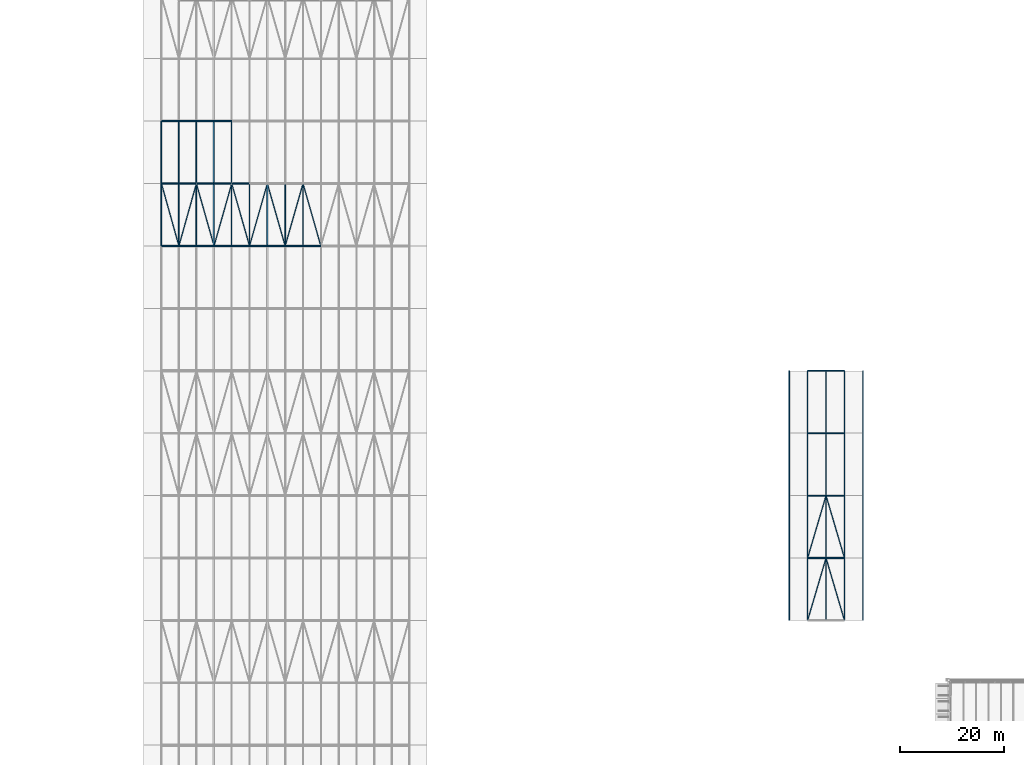
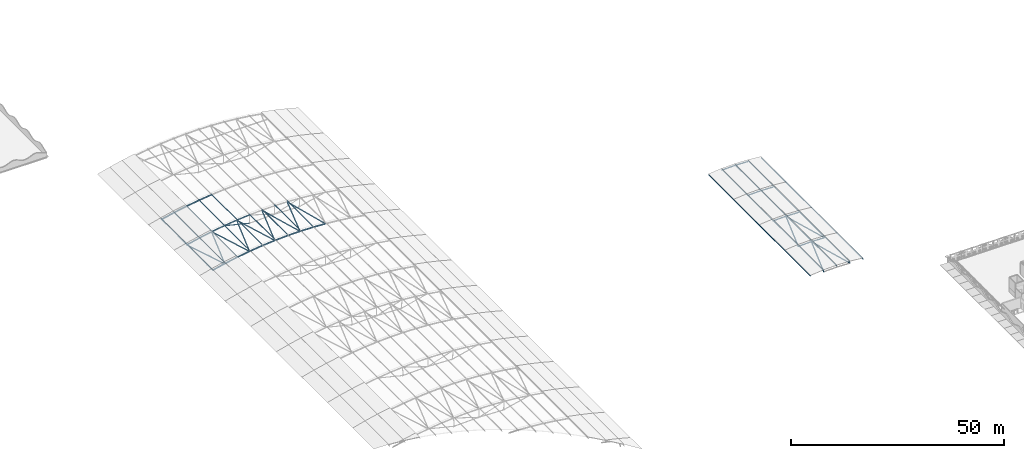
# One storey, part 37 of 91: 74 members.
"""IFC4 building model written with IfcOpenShell, lengths in metres."""

from ifc_helpers import new_model, si_unit, direction, frame, origin, origin_2d, place, context, subcontext, project, spatial, hollow_circle, i_section, extrude, material, material_profile, profile_set, type_object, element, save


model = new_model("IFC4")

# Units and contexts
model_context = context("Model", 3, precision=1e-05, world=origin(), true_north=direction((0.0, 1.0)))
body_context = subcontext(model_context, "Body", "Model", "MODEL_VIEW")
ifc_project = project(units=[si_unit("LENGTHUNIT", "METRE"), si_unit("AREAUNIT", "SQUARE_METRE"), si_unit("VOLUMEUNIT", "CUBIC_METRE"), si_unit("PLANEANGLEUNIT", "RADIAN"), si_unit("MASSUNIT", "GRAM", prefix="KILO")], contexts=[model_context])

# Site, building, storey
site_placement = place(None, origin())
site = spatial("IfcSite", under=ifc_project, at=site_placement, CompositionType="ELEMENT")
building_placement = place(site_placement, origin())
building = spatial("IfcBuilding", under=site, at=building_placement, Name="Ravi Spectrum Wholesale Market", CompositionType="ELEMENT")
storey_placement = place(building_placement, frame((0.0, 0.0, 16.199951171875)))
storey = spatial("IfcBuildingStorey", under=building, at=storey_placement, Name="ROOF PLANT LEVEL", CompositionType="ELEMENT", Elevation=16.199951171875)

# Members
ifc_material_1 = material(Name="Steel S355", Category="steel")
ifc_material_profile_1 = material_profile(ifc_material_1, hollow_circle(Radius=0.06982421875, WallThickness=0.0048828125, at=origin_2d()))
ifc_profile_set_1 = profile_set([ifc_material_profile_1], Name="Steel S355")
member_type_1 = type_object("IfcMemberType", Name="CHS 139.7x5 brace", PredefinedType="BRACE", material=ifc_profile_set_1)
member_1_placement = place(storey_placement, frame((56.318115234375, 162.0, 2.079833984375), z_axis=(0.97214359809, 0.0, -0.234386059083), x_axis=(0.0, 1.0, 0.0)))
element("IfcMember", 1, at=member_1_placement, inside=storey, type_object=member_type_1, Name="H1-MB-L02-960", PredefinedType="BRACE", context=body_context, shape_type="SweptSolid", body=[
    extrude(hollow_circle(Radius=0.06982421875, WallThickness=0.0048828125, at=origin_2d()), origin(), (0.0, 0.0, 1.0), 7.190185546875),
])
ifc_material_2 = material(Name="Steel S355", Category="steel")
ifc_material_profile_2 = material_profile(ifc_material_2, hollow_circle(Radius=0.096923828125, WallThickness=0.00634765625, at=origin_2d()))
ifc_profile_set_2 = profile_set([ifc_material_profile_2], Name="Steel S355")
member_type_2 = type_object("IfcMemberType", Name="CHS 193.7x6.3 brace", PredefinedType="BRACE", material=ifc_profile_set_2)
for number, where, z_axis, x_axis, name in (
    (2, (46.213134765625, 162.0, 0.13916015625), (0.268458266113, -0.961473382103, 0.059153147532), (0.963159952785, 0.26892918278, 0.0), "H1-MB-L02-1685"),
    (3, (49.563720703125, 150.0, 0.87744140625), (0.269573425524, 0.961473986747, 0.053832527904), (-0.962870169495, 0.269964880489, 0.0), "H1-MB-L02-1686"),
):
    element("IfcMember", number, at=place(storey_placement, frame(where, z_axis=z_axis, x_axis=x_axis)), inside=storey, type_object=member_type_2, Name=name, PredefinedType="BRACE", context=body_context, shape_type="SweptSolid", body=[
        extrude(hollow_circle(Radius=0.096923828125, WallThickness=0.00634765625, at=origin_2d()), origin(), (0.0, 0.0, 1.0), 12.48095703125),
    ])
member_2_placement = place(storey_placement, frame((52.92822265625, 162.0, 1.54931640625), z_axis=(0.271882814956, -0.961478100635, 0.040491936611), x_axis=(0.962267289503, 0.272105978532, 0.0)))
element("IfcMember", 4, at=member_2_placement, inside=storey, type_object=member_type_2, Name="H1-MB-L02-1687", PredefinedType="BRACE", context=body_context, shape_type="SweptSolid", body=[
    extrude(hollow_circle(Radius=0.096923828125, WallThickness=0.00634765625, at=origin_2d()), origin(), (0.0, 0.0, 1.0), 12.480712890625),
])
member_3_placement = place(storey_placement, frame((56.321533203125, 150.0, 2.0546875), z_axis=(0.272644331553, 0.961473251867, 0.035131957201), x_axis=(-0.962067152996, 0.272812743702, 0.0)))
element("IfcMember", 5, at=member_3_placement, inside=storey, type_object=member_type_2, Name="H1-MB-L02-1688", PredefinedType="BRACE", context=body_context, shape_type="SweptSolid", body=[
    extrude(hollow_circle(Radius=0.096923828125, WallThickness=0.00634765625, at=origin_2d()), origin(), (0.0, 0.0, 1.0), 12.48095703125),
])
for number, where, z_axis, x_axis, name in (
    (6, (59.724365234375, 162.0, 2.4931640625), (0.274034013599, -0.9614761822, 0.021654340285), (0.961701684624, 0.27409828491, 0.0), "H1-MB-L02-1689"),
    (7, (63.14453125, 150.0, 2.763427734375), (0.274405792689, 0.961476584134, 0.016255432972), (-0.961603639168, 0.274442054245, 0.0), "H1-MB-L02-1690"),
    (8, (66.5693359375, 162.0, 2.96630859375), (0.274875137304, -0.961476142098, 0.002699456942), (0.961479645288, 0.274876138826, 0.0), "H1-MB-L02-1691"),
    (9, (70.0, 150.0, 3.0), (0.274875137304, 0.961476142098, -0.002699456942), (-0.961479645288, 0.274876138826, 0.0), "H1-MB-L02-1692"),
    (10, (73.4306640625, 162.0, 2.96630859375), (0.274405792689, -0.961476584134, -0.016255432972), (0.961603639168, 0.274442054245, 0.0), "H1-MB-L02-1693"),
):
    element("IfcMember", number, at=place(storey_placement, frame(where, z_axis=z_axis, x_axis=x_axis)), inside=storey, type_object=member_type_2, Name=name, PredefinedType="BRACE", context=body_context, shape_type="SweptSolid", body=[
        extrude(hollow_circle(Radius=0.096923828125, WallThickness=0.00634765625, at=origin_2d()), origin(), (0.0, 0.0, 1.0), 12.480712890625),
    ])
for number, where, z_axis, x_axis, name in (
    (11, (170.459228515625, 78.0, -0.11181640625), (0.282990571069, 0.959081055589, 0.008936749745), (-0.959119356625, 0.283001872338, 0.0), "H2-MB-L02-347"),
    (12, (174.0, 90.0, 0.0), (0.282990571069, -0.959081055589, -0.008936749745), (0.959119356625, 0.283001872338, 0.0), "H2-MB-L02-348"),
    (13, (170.459228515625, 90.0, -0.11181640625), (0.282990571069, 0.959081055589, 0.008936749745), (-0.959119356625, 0.283001872338, 0.0), "H2-MB-L02-361"),
    (14, (174.0, 102.0, 0.0), (0.282990571069, -0.959081055589, -0.008936749745), (0.959119356625, 0.283001872338, 0.0), "H2-MB-L02-362"),
):
    element("IfcMember", number, at=place(storey_placement, frame(where, z_axis=z_axis, x_axis=x_axis)), inside=storey, type_object=member_type_2, Name=name, PredefinedType="BRACE", context=body_context, shape_type="SweptSolid", body=[
        extrude(hollow_circle(Radius=0.096923828125, WallThickness=0.00634765625, at=origin_2d()), origin(), (0.0, 0.0, 1.0), 12.511962890625),
    ])
ifc_material_3 = material(Name="Steel S355", Category="steel")
ifc_material_profile_3 = material_profile(ifc_material_3, hollow_circle(Radius=0.161865234375, WallThickness=0.010009765625, at=origin_2d()))
ifc_profile_set_3 = profile_set([ifc_material_profile_3], Name="Steel S355")
member_type_3 = type_object("IfcMemberType", Name="CHS 323.9x10 chord", PredefinedType="CHORD", material=ifc_profile_set_3)
for number, where, z_axis, x_axis, name in (
    (15, (170.459228515625, 90.0, -0.11181640625), (0.999501734771, 0.0, 0.031563938118), (0.0, 1.0, 0.0), "H2-MB-L02-063"),
    (16, (174.0, 90.0, 0.0), (0.999501734771, 0.0, -0.031563938118), (0.0, 1.0, 0.0), "H2-MB-L02-064"),
    (17, (170.459228515625, 102.0, -0.11181640625), (0.999501734771, 0.0, 0.031563938118), (0.0, 1.0, 0.0), "H2-MB-L02-119"),
    (18, (174.0, 102.0, 0.0), (0.999501734771, 0.0, -0.031563938118), (0.0, 1.0, 0.0), "H2-MB-L02-120"),
    (19, (170.459228515625, 114.0, -0.11181640625), (0.999501734771, 0.0, 0.031563938118), (0.0, 1.0, 0.0), "H2-MB-L02-175"),
    (20, (174.0, 114.0, 0.0), (0.999501734771, 0.0, -0.031563938118), (0.0, 1.0, 0.0), "H2-MB-L02-176"),
    (21, (170.459228515625, 126.0, -0.11181640625), (0.999501734771, 0.0, 0.031563938118), (0.0, 1.0, 0.0), "H2-MB-L02-231"),
    (22, (174.0, 126.0, 0.0), (0.999501734771, 0.0, -0.031563938118), (0.0, 1.0, 0.0), "H2-MB-L02-232"),
):
    element("IfcMember", number, at=place(storey_placement, frame(where, z_axis=z_axis, x_axis=x_axis)), inside=storey, type_object=member_type_3, Name=name, PredefinedType="CHORD", context=body_context, shape_type="SweptSolid", body=[
        extrude(hollow_circle(Radius=0.161865234375, WallThickness=0.010009765625, at=origin_2d()), origin(), (0.0, 0.0, 1.0), 3.54248046875),
    ])
ifc_material_4 = material(Name="Steel S355", Category="steel")
ifc_material_profile_4 = material_profile(ifc_material_4, hollow_circle(Radius=0.177734375, WallThickness=0.012451171875, at=origin_2d()))
ifc_profile_set_4 = profile_set([ifc_material_profile_4], Name="Steel S355")
member_type_4 = type_object("IfcMemberType", Name="CHS 355.6x12.5 chord", PredefinedType="CHORD", material=ifc_profile_set_4)
member_4_placement = place(storey_placement, frame((46.213134765625, 162.0, 0.13916015625), z_axis=(0.974952916083, 0.0, 0.222411356322), x_axis=(0.0, 1.0, 0.0)))
element("IfcMember", 23, at=member_4_placement, inside=storey, type_object=member_type_4, Name="H1-MB-L02-915", PredefinedType="CHORD", context=body_context, shape_type="SweptSolid", body=[
    extrude(hollow_circle(Radius=0.177734375, WallThickness=0.012451171875, at=origin_2d()), origin(), (0.0, 0.0, 1.0), 3.431396484375),
])
for number, where, z_axis, x_axis, name in (
    (24, (49.55859375, 162.0, 0.90234375), (0.982062230733, 0.0, 0.188557086759), (0.0, 1.0, 0.0), "H1-MB-L02-916"),
    (25, (52.92822265625, 162.0, 1.54931640625), (0.987974358509, 0.0, 0.154617809221), (0.0, 1.0, 0.0), "H1-MB-L02-917"),
    (26, (56.318115234375, 162.0, 2.079833984375), (0.992718062095, 0.0, 0.120460986176), (0.0, 1.0, 0.0), "H1-MB-L02-918"),
    (27, (59.724365234375, 162.0, 2.4931640625), (0.996280795756, 0.0, 0.086165979407), (0.0, 1.0, 0.0), "H1-MB-L02-919"),
):
    element("IfcMember", number, at=place(storey_placement, frame(where, z_axis=z_axis, x_axis=x_axis)), inside=storey, type_object=member_type_4, Name=name, PredefinedType="CHORD", context=body_context, shape_type="SweptSolid", body=[
        extrude(hollow_circle(Radius=0.177734375, WallThickness=0.012451171875, at=origin_2d()), origin(), (0.0, 0.0, 1.0), 3.43115234375),
    ])
ifc_material_5 = material(Name="Steel S355", Category="steel")
ifc_material_profile_5 = material_profile(ifc_material_5, hollow_circle(Radius=0.203125, WallThickness=0.01611328125, at=origin_2d()))
ifc_profile_set_5 = profile_set([ifc_material_profile_5], Name="Steel S355")
member_type_5 = type_object("IfcMemberType", Name="CHS 406.4x16 chord", PredefinedType="CHORD", material=ifc_profile_set_5)
for number, where, z_axis, x_axis, name in (
    (28, (46.21923828125, 150.0, 0.114501953125), (0.974954266394, 0.0, 0.222405437074), (0.0, 1.0, 0.0), "H1-MB-L02-816"),
    (29, (49.563720703125, 150.0, 0.87744140625), (0.982054639007, 0.0, 0.188596622463), (0.0, 1.0, 0.0), "H1-MB-L02-817"),
):
    element("IfcMember", number, at=place(storey_placement, frame(where, z_axis=z_axis, x_axis=x_axis)), inside=storey, type_object=member_type_5, Name=name, PredefinedType="CHORD", context=body_context, shape_type="SweptSolid", body=[
        extrude(hollow_circle(Radius=0.203125, WallThickness=0.01611328125, at=origin_2d()), origin(), (0.0, 0.0, 1.0), 3.430419921875),
    ])
for number, where, z_axis, x_axis, name in (
    (30, (52.9326171875, 150.0, 1.5244140625), (0.987978424514, 0.0, 0.154591826096), (0.0, 1.0, 0.0), "H1-MB-L02-818"),
    (31, (56.321533203125, 150.0, 2.0546875), (0.992713930418, 0.0, 0.120495030413), (0.0, 1.0, 0.0), "H1-MB-L02-819"),
):
    element("IfcMember", number, at=place(storey_placement, frame(where, z_axis=z_axis, x_axis=x_axis)), inside=storey, type_object=member_type_5, Name=name, PredefinedType="CHORD", context=body_context, shape_type="SweptSolid", body=[
        extrude(hollow_circle(Radius=0.203125, WallThickness=0.01611328125, at=origin_2d()), origin(), (0.0, 0.0, 1.0), 3.43017578125),
    ])
for number, where, z_axis, x_axis, name in (
    (32, (59.726806640625, 150.0, 2.468017578125), (0.99628531868, 0.0, 0.086113667805), (0.0, 1.0, 0.0), "H1-MB-L02-820"),
    (33, (63.14453125, 150.0, 2.763427734375), (0.998660550273, 0.0, 0.051740751144), (0.0, 1.0, 0.0), "H1-MB-L02-821"),
):
    element("IfcMember", number, at=place(storey_placement, frame(where, z_axis=z_axis, x_axis=x_axis)), inside=storey, type_object=member_type_5, Name=name, PredefinedType="CHORD", context=body_context, shape_type="SweptSolid", body=[
        extrude(hollow_circle(Radius=0.203125, WallThickness=0.01611328125, at=origin_2d()), origin(), (0.0, 0.0, 1.0), 3.430419921875),
    ])
for number, where, z_axis, x_axis, name in (
    (34, (66.5703125, 150.0, 2.94091796875), (0.999851654256, 0.0, 0.01722409598), (0.0, 1.0, 0.0), "H1-MB-L02-822"),
    (35, (70.0, 150.0, 3.0), (0.999851654256, 0.0, -0.01722409598), (0.0, 1.0, 0.0), "H1-MB-L02-823"),
):
    element("IfcMember", number, at=place(storey_placement, frame(where, z_axis=z_axis, x_axis=x_axis)), inside=storey, type_object=member_type_5, Name=name, PredefinedType="CHORD", context=body_context, shape_type="SweptSolid", body=[
        extrude(hollow_circle(Radius=0.203125, WallThickness=0.01611328125, at=origin_2d()), origin(), (0.0, 0.0, 1.0), 3.43017578125),
    ])
for number, where, z_axis, x_axis, name in (
    (36, (73.4296875, 150.0, 2.94091796875), (0.998660550273, 0.0, -0.051740751144), (0.0, 1.0, 0.0), "H1-MB-L02-824"),
    (37, (46.21923828125, 174.0, 0.114501953125), (0.974954266394, 0.0, 0.222405437074), (0.0, 1.0, 0.0), "H1-MB-L02-978"),
    (38, (49.563720703125, 174.0, 0.87744140625), (0.982054639007, 0.0, 0.188596622463), (0.0, 1.0, 0.0), "H1-MB-L02-979"),
):
    element("IfcMember", number, at=place(storey_placement, frame(where, z_axis=z_axis, x_axis=x_axis)), inside=storey, type_object=member_type_5, Name=name, PredefinedType="CHORD", context=body_context, shape_type="SweptSolid", body=[
        extrude(hollow_circle(Radius=0.203125, WallThickness=0.01611328125, at=origin_2d()), origin(), (0.0, 0.0, 1.0), 3.430419921875),
    ])
for number, where, z_axis, x_axis, name in (
    (39, (52.9326171875, 174.0, 1.5244140625), (0.987978424514, 0.0, 0.154591826096), (0.0, 1.0, 0.0), "H1-MB-L02-980"),
    (40, (56.321533203125, 174.0, 2.0546875), (0.992713930418, 0.0, 0.120495030413), (0.0, 1.0, 0.0), "H1-MB-L02-981"),
):
    element("IfcMember", number, at=place(storey_placement, frame(where, z_axis=z_axis, x_axis=x_axis)), inside=storey, type_object=member_type_5, Name=name, PredefinedType="CHORD", context=body_context, shape_type="SweptSolid", body=[
        extrude(hollow_circle(Radius=0.203125, WallThickness=0.01611328125, at=origin_2d()), origin(), (0.0, 0.0, 1.0), 3.43017578125),
    ])
ifc_material_6 = material(Name="Steel S355", Category="steel")
ifc_material_profile_6 = material_profile(ifc_material_6, i_section(OverallWidth=0.135009765625, OverallDepth=0.27001953125, WebThickness=0.006591796875, FlangeThickness=0.01025390625, at=origin_2d()))
ifc_profile_set_6 = profile_set([ifc_material_profile_6], Name="Steel S355")
member_type_6 = type_object("IfcMemberType", Name="IPE 270 purlin", PredefinedType="PURLIN", material=ifc_profile_set_6)
for number, where, z_axis, x_axis, name in (
    (41, (46.138427734375, 150.0, 0.44287109375), (0.0, 1.0, 0.0), (-0.970982506107, 0.0, -0.239150523382), "H1-MB-L02-1489"),
    (42, (49.494140625, 150.0, 1.208251953125), (0.0, 1.0, 0.0), (-0.978653497036, 0.0, -0.205517232221), "H1-MB-L02-1490"),
    (43, (52.87451171875, 150.0, 1.857666015625), (0.0, 1.0, 0.0), (-0.985159848831, 0.0, -0.171639366844), "H1-MB-L02-1491"),
    (44, (56.275146484375, 150.0, 2.3896484375), (0.0, 1.0, 0.0), (-0.99049381866, 0.0, -0.137557243347), "H1-MB-L02-1492"),
    (45, (59.69189453125, 150.0, 2.804443359375), (0.0, 1.0, 0.0), (-0.994649057067, 0.0, -0.103311438261), "H1-MB-L02-1493"),
    (46, (63.12109375, 150.0, 3.100830078125), (0.0, 1.0, 0.0), (-0.997620623348, 0.0, -0.068942670899), "H1-MB-L02-1494"),
    (47, (66.55859375, 150.0, 3.27880859375), (0.0, 1.0, 0.0), (-0.999404978812, 0.0, -0.034491858836), "H1-MB-L02-1495"),
    (48, (70.0, 150.0, 3.338134765625), (0.0, 1.0, 0.0), (-1.0, 0.0, 0.0), "H1-MB-L02-1496"),
    (49, (73.44140625, 150.0, 3.27880859375), (0.0, 1.0, 0.0), (-0.999404978812, 0.0, 0.034491858836), "H1-MB-L02-1497"),
    (50, (46.138427734375, 162.0, 0.44287109375), (0.0, 1.0, 0.0), (-0.970982506107, 0.0, -0.239150523382), "H1-MB-L02-1514"),
    (51, (49.494140625, 162.0, 1.208251953125), (0.0, 1.0, 0.0), (-0.978653497036, 0.0, -0.205517232221), "H1-MB-L02-1515"),
    (52, (52.87451171875, 162.0, 1.857666015625), (0.0, 1.0, 0.0), (-0.985159848831, 0.0, -0.171639366844), "H1-MB-L02-1516"),
    (53, (56.275146484375, 162.0, 2.3896484375), (0.0, 1.0, 0.0), (-0.99049381866, 0.0, -0.137557243347), "H1-MB-L02-1517"),
    (54, (59.69189453125, 162.0, 2.804443359375), (0.0, 1.0, 0.0), (-0.994649057067, 0.0, -0.103311438261), "H1-MB-L02-1518"),
    (55, (166.895263671875, 78.0, -0.15283203125), (0.0, 1.0, 0.0), (-0.992013905104, 0.0, -0.126128553786), "H2-MB-L02-286"),
    (56, (170.4404296875, 78.0, 0.184326171875), (0.0, 1.0, 0.0), (-0.998001478682, 0.0, -0.063190573258), "H2-MB-L02-287"),
    (57, (174.0, 78.0, 0.297119140625), (0.0, 1.0, 0.0), (-1.0, 0.0, 0.0), "H2-MB-L02-288"),
    (58, (177.5595703125, 78.0, 0.184326171875), (0.0, 1.0, 0.0), (-0.998001478682, 0.0, 0.063190573258), "H2-MB-L02-289"),
    (59, (181.104736328125, 78.0, -0.15283203125), (0.0, 1.0, 0.0), (-0.992013905104, 0.0, 0.126128553786), "H2-MB-L02-290"),
    (60, (166.895263671875, 90.0, -0.15283203125), (0.0, 1.0, 0.0), (-0.992013905104, 0.0, -0.126128553786), "H2-MB-L02-301"),
    (61, (170.4404296875, 90.0, 0.184326171875), (0.0, 1.0, 0.0), (-0.998001478682, 0.0, -0.063190573258), "H2-MB-L02-302"),
    (62, (174.0, 90.0, 0.297119140625), (0.0, 1.0, 0.0), (-1.0, 0.0, 0.0), "H2-MB-L02-303"),
    (63, (177.5595703125, 90.0, 0.184326171875), (0.0, 1.0, 0.0), (-0.998001478682, 0.0, 0.063190573258), "H2-MB-L02-304"),
    (64, (181.104736328125, 90.0, -0.15283203125), (0.0, 1.0, 0.0), (-0.992013905104, 0.0, 0.126128553786), "H2-MB-L02-305"),
    (65, (166.895263671875, 102.0, -0.15283203125), (0.0, 1.0, 0.0), (-0.992013905104, 0.0, -0.126128553786), "H2-MB-L02-316"),
    (66, (170.4404296875, 102.0, 0.184326171875), (0.0, 1.0, 0.0), (-0.998001478682, 0.0, -0.063190573258), "H2-MB-L02-317"),
    (67, (174.0, 102.0, 0.297119140625), (0.0, 1.0, 0.0), (-1.0, 0.0, 0.0), "H2-MB-L02-318"),
    (68, (177.5595703125, 102.0, 0.184326171875), (0.0, 1.0, 0.0), (-0.998001478682, 0.0, 0.063190573258), "H2-MB-L02-319"),
    (69, (181.104736328125, 102.0, -0.15283203125), (0.0, 1.0, 0.0), (-0.992013905104, 0.0, 0.126128553786), "H2-MB-L02-320"),
    (70, (166.895263671875, 114.0, -0.15283203125), (0.0, 1.0, 0.0), (-0.992013905104, 0.0, -0.126128553786), "H2-MB-L02-331"),
    (71, (170.4404296875, 114.0, 0.184326171875), (0.0, 1.0, 0.0), (-0.998001478682, 0.0, -0.063190573258), "H2-MB-L02-332"),
    (72, (174.0, 114.0, 0.297119140625), (0.0, 1.0, 0.0), (-1.0, 0.0, 0.0), "H2-MB-L02-333"),
    (73, (177.5595703125, 114.0, 0.184326171875), (0.0, 1.0, 0.0), (-0.998001478682, 0.0, 0.063190573258), "H2-MB-L02-334"),
    (74, (181.104736328125, 114.0, -0.15283203125), (0.0, 1.0, 0.0), (-0.992013905104, 0.0, 0.126128553786), "H2-MB-L02-335"),
):
    element("IfcMember", number, at=place(storey_placement, frame(where, z_axis=z_axis, x_axis=x_axis)), inside=storey, type_object=member_type_6, Name=name, PredefinedType="PURLIN", context=body_context, shape_type="SweptSolid", body=[
        extrude(i_section(OverallWidth=0.135009765625, OverallDepth=0.27001953125, WebThickness=0.006591796875, FlangeThickness=0.01025390625, at=origin_2d()), origin(), (0.0, 0.0, 1.0), 12.0),
    ])

save(model, "model.ifc")
